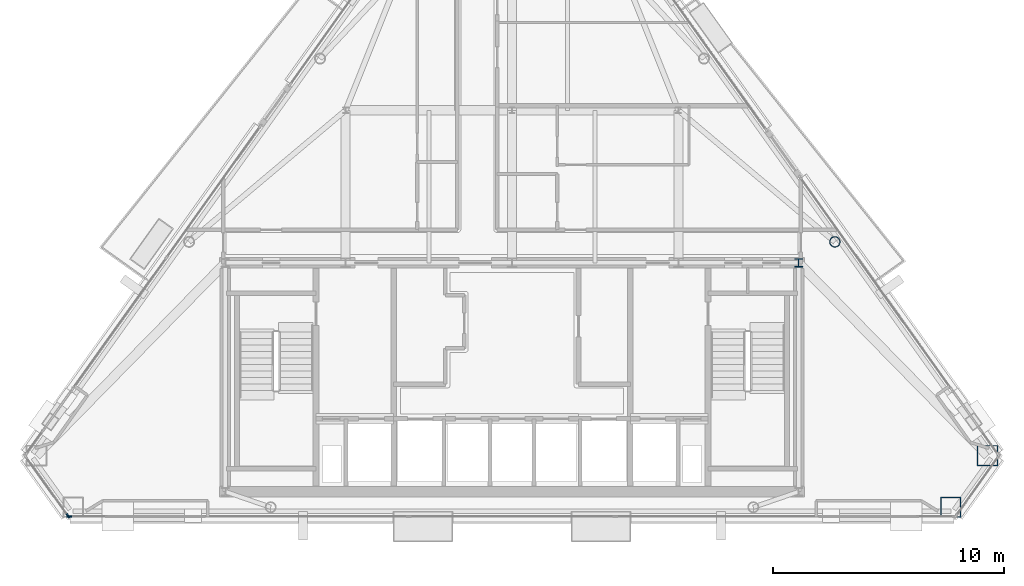
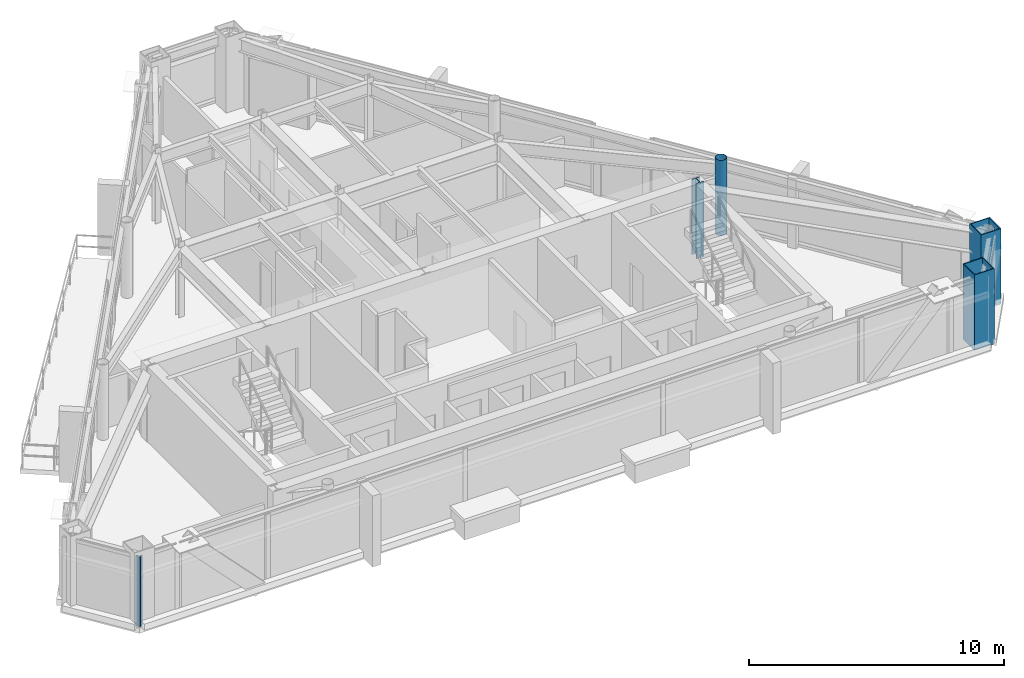
# One storey, part 3 of 12: 4 columns, 2 members, 2 elements without a shape of their own.
"""IFC4 building model written with IfcOpenShell, lengths in metres."""

from ifc_helpers import new_model, si_unit, direction, frame, origin, origin_2d, place, context, subcontext, project, spatial, rectangle, hollow_rectangle, hollow_circle, i_section, extrude, material, layer, layer_set, material_profile, profile_set, type_object, element, aggregate, save


model = new_model("IFC4")

# Units and contexts
model_context = context("Model", 3, precision=1e-05, world=origin(), true_north=direction((0.0, 1.0)))
body_context = subcontext(model_context, "Body", "Model", "MODEL_VIEW")
ifc_project = project(units=[si_unit("LENGTHUNIT", "METRE"), si_unit("AREAUNIT", "SQUARE_METRE"), si_unit("VOLUMEUNIT", "CUBIC_METRE"), si_unit("PLANEANGLEUNIT", "RADIAN"), si_unit("MASSUNIT", "GRAM", prefix="KILO")], contexts=[model_context])

# Site, building, storey
site_placement = place(None, origin())
site = spatial("IfcSite", under=ifc_project, at=site_placement, CompositionType="ELEMENT")
building_placement = place(site_placement, origin())
building = spatial("IfcBuilding", under=site, at=building_placement, Name="Talgorran Terracotta Tower", CompositionType="ELEMENT")
storey_placement = place(building_placement, frame((0.0, 0.0, 277.800048828125)))
storey = spatial("IfcBuildingStorey", under=building, at=storey_placement, Name="L73", CompositionType="ELEMENT", Elevation=277.800048828125)

# Columns
ifc_material_1 = material(Name="Steel S355 (300PLUS)", Category="steel")
ifc_material_profile_1 = material_profile(ifc_material_1, i_section(OverallWidth=0.35205078125, OverallDepth=0.35888671875, WebThickness=0.01806640625, FlangeThickness=0.02587890625, at=origin_2d()), Name="350WC197")
ifc_profile_set_1 = profile_set([ifc_material_profile_1], Name="Steel S355 (300PLUS)")
column_type_1 = type_object("IfcColumnType", Name="COL_350WC197", PredefinedType="COLUMN", material=ifc_profile_set_1)
column_1_placement = place(storey_placement, frame((12.39990234375, -4.199951171875, 0.0), z_axis=(0.0, 0.0, 1.0), x_axis=(1.0, 0.0, 0.0)))
element("IfcColumn", 1, at=column_1_placement, inside=storey, type_object=column_type_1, Name="L73 Core Boundary Column CC3", PredefinedType="COLUMN", context=body_context, shape_type="SweptSolid", body=[
    extrude(i_section(OverallWidth=0.35205078125, OverallDepth=0.35888671875, WebThickness=0.01806640625, FlangeThickness=0.02587890625, at=origin_2d()), origin(), (0.0, 0.0, 1.0), 3.599853515625),
])
ifc_material_2 = material(Name="Steel Grade 350 (350L0)", Category="steel")
ifc_material_profile_2 = material_profile(ifc_material_2, hollow_rectangle(XDim=0.89990234375, YDim=0.89990234375, WallThickness=0.0400390625, at=origin_2d()), Name="CFT900X900X40")
ifc_profile_set_2 = profile_set([ifc_material_profile_2], Name="Steel Grade 350 (350L0)")
column_type_2 = type_object("IfcColumnType", Name="COL_CFT_900", PredefinedType="COLUMN", material=ifc_profile_set_2)
for number, where, z_axis, x_axis, name in (
    (2, (18.984619140625, -14.7744140625, 0.0), (0.0, 0.0, 1.0), (1.0, 0.0, 0.0), "L73 Corner CFT Mega-Column MC3"),
    (3, (20.578857421875, -12.542724609375, 0.0), (0.0, 0.0, 1.0), (1.0, 0.0, 0.0), "L73 Corner CFT Mega-Column MC4"),
):
    element("IfcColumn", number, at=place(storey_placement, frame(where, z_axis=z_axis, x_axis=x_axis)), inside=storey, type_object=column_type_2, Name=name, PredefinedType="COLUMN", context=body_context, shape_type="SweptSolid", body=[
        extrude(hollow_rectangle(XDim=0.89990234375, YDim=0.89990234375, WallThickness=0.0400390625, at=origin_2d()), origin(), (0.0, 0.0, 1.0), 3.599853515625),
    ])
ifc_material_3 = material(Name="Steel S350 (C350L0)", Category="steel")
ifc_material_profile_3 = material_profile(ifc_material_3, hollow_circle(Radius=0.228515625, WallThickness=0.01611328125, at=origin_2d()), Name="CHS457X16")
ifc_profile_set_3 = profile_set([ifc_material_profile_3], Name="Steel S350 (C350L0)")
column_type_3 = type_object("IfcColumnType", Name="COL_CHS_457", PredefinedType="COLUMN", material=ifc_profile_set_3)
column_2_placement = place(storey_placement, frame((13.970458984375, -3.29150390625, 0.0), z_axis=(0.0, 0.0, 1.0), x_axis=(1.0, 0.0, 0.0)))
element("IfcColumn", 4, at=column_2_placement, inside=storey, type_object=column_type_3, Name="L73 Facet Perimeter Column FC3", PredefinedType="COLUMN", context=body_context, shape_type="SweptSolid", body=[
    extrude(hollow_circle(Radius=0.228515625, WallThickness=0.01611328125, at=origin_2d()), origin(), (0.0, 0.0, 1.0), 3.599853515625),
])

# Curtain wall, member
ifc_material_4 = material(Name="High-Wind Unitised Glazing", Category="glass")
ifc_layer = layer(ifc_material_4, 0.2099609375, Name="CW_SYS3_RES_HIGH")
ifc_layer_set = layer_set([ifc_layer], Name="High-Wind Unitised Glazing")
curtain_wall_type = type_object("IfcCurtainWallType", Name="CW_SYS3_RES_HIGH", PredefinedType="NOTDEFINED", material=ifc_layer_set)
curtain_wall_1_placement = place(storey_placement, origin())
curtain_wall_1 = element("IfcCurtainWall", 5, at=curtain_wall_1_placement, inside=storey, type_object=curtain_wall_type, Name="CW-L73-F0", PredefinedType="NOTDEFINED")
ifc_material_5 = material(Name="Architectural Aluminium 6063-T6", Category="aluminium")
ifc_material_profile_4 = material_profile(ifc_material_5, rectangle(XDim=0.070068359375, YDim=0.199951171875, at=origin_2d()), Name="CWM70X200")
ifc_profile_set_4 = profile_set([ifc_material_profile_4], Name="Architectural Aluminium 6063-T6")
member_type = type_object("IfcMemberType", Name="MUL_70X200", PredefinedType="MULLION", material=ifc_profile_set_4)
member_1_placement = place(storey_placement, frame((-19.2109375, -15.14599609375, 0.0), z_axis=(0.0, 0.0, 1.0), x_axis=(0.813720935413, 0.58125574343, 0.0)))
member_1 = element("IfcMember", 6, at=member_1_placement, type_object=member_type, Name="CW-L73-0 mullion 2", PredefinedType="MULLION", context=body_context, shape_type="SweptSolid", body=[
    extrude(rectangle(XDim=0.070068359375, YDim=0.199951171875, at=origin_2d()), origin(), (0.0, 0.0, 1.0), 3.344970703125),
])
aggregate(curtain_wall_1, [member_1])

curtain_wall_2_placement = place(storey_placement, origin())
curtain_wall_2 = element("IfcCurtainWall", 7, at=curtain_wall_2_placement, inside=storey, type_object=curtain_wall_type, Name="CW-L73-F1", PredefinedType="NOTDEFINED")
member_2_placement = place(storey_placement, frame((-19.155517578125, -15.17431640625, 0.0), z_axis=(0.0, 0.0, 1.0), x_axis=(0.0, 1.0, 0.0)))
member_2 = element("IfcMember", 8, at=member_2_placement, type_object=member_type, Name="CW-L73-1 mullion 1", PredefinedType="MULLION", context=body_context, shape_type="SweptSolid", body=[
    extrude(rectangle(XDim=0.070068359375, YDim=0.199951171875, at=origin_2d()), origin(), (0.0, 0.0, 1.0), 3.344970703125),
])
aggregate(curtain_wall_2, [member_2])

save(model, "model.ifc")
